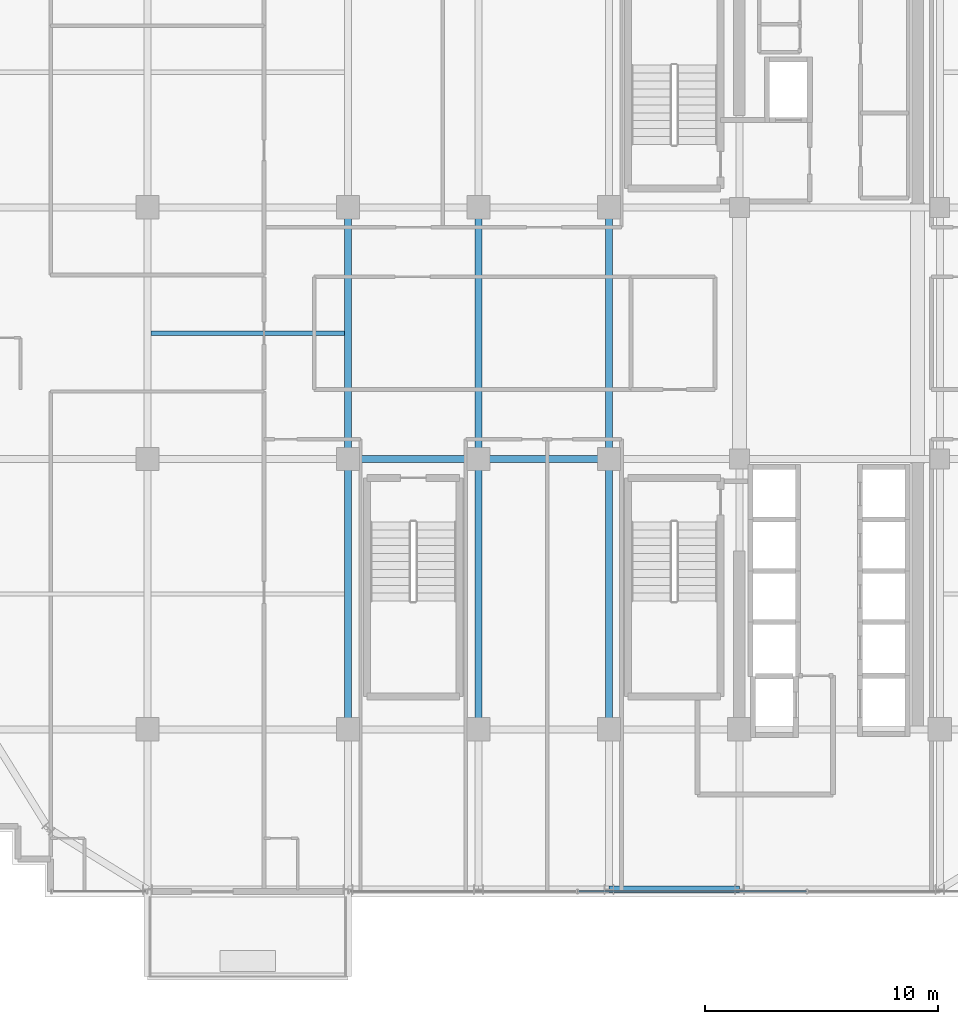
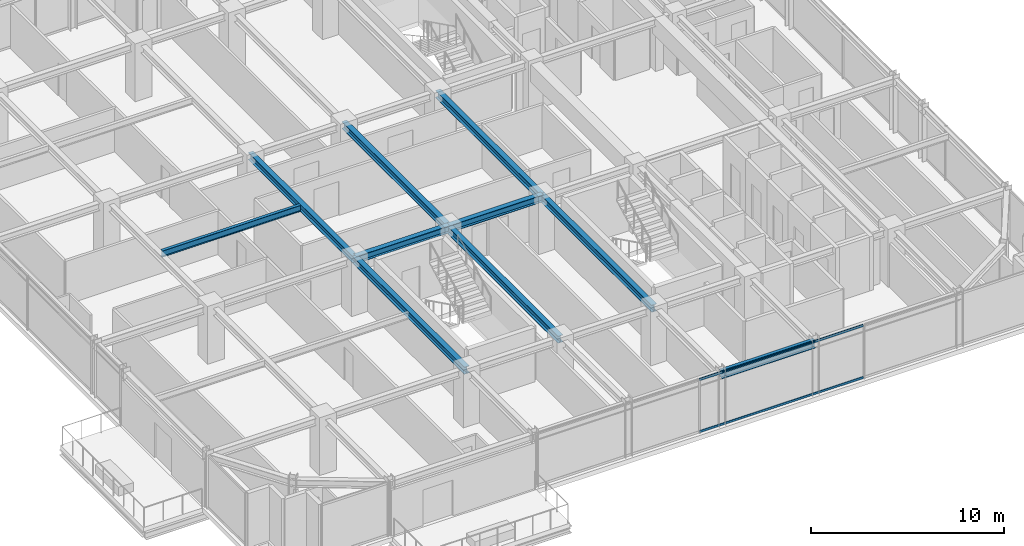
# One storey, part 11 of 35: 10 beams, 2 members, 1 element without a shape of its own.
"""IFC4 building model written with IfcOpenShell, lengths in metres."""

from ifc_helpers import new_model, si_unit, direction, frame, origin, origin_2d, place, context, subcontext, project, spatial, hollow_rectangle, i_section, extrude, source, transform, mapped, material, material_profile, profile_set, type_object, element, aggregate, save


model = new_model("IFC4")

# Units and contexts
model_context = context("Model", 3, precision=1e-05, world=origin(), true_north=direction((0.0, 1.0)))
body_context = subcontext(model_context, "Body", "Model", "MODEL_VIEW")
ifc_project = project(units=[si_unit("LENGTHUNIT", "METRE"), si_unit("AREAUNIT", "SQUARE_METRE"), si_unit("VOLUMEUNIT", "CUBIC_METRE"), si_unit("PLANEANGLEUNIT", "RADIAN"), si_unit("MASSUNIT", "GRAM", prefix="KILO")], contexts=[model_context])

# Site, building, storey
site_placement = place(None, origin())
site = spatial("IfcSite", under=ifc_project, at=site_placement, CompositionType="ELEMENT")
building_placement = place(site_placement, origin())
building = spatial("IfcBuilding", under=site, at=building_placement, Name="Nahalor Promenade Grand Hotel", CompositionType="ELEMENT")
storey_placement = place(building_placement, frame((0.0, 0.0, 245.60009765625)))
storey = spatial("IfcBuildingStorey", under=building, at=storey_placement, Name="L63", CompositionType="ELEMENT", Elevation=245.60009765625)

# Beams
ifc_material_1 = material(Name="Steel S355JR", Category="steel")
ifc_material_profile_1 = material_profile(ifc_material_1, i_section(OverallWidth=0.3, OverallDepth=0.45, WebThickness=0.014, FlangeThickness=0.026, at=origin_2d()), Name="HEB 450")
ifc_profile_set_1 = profile_set([ifc_material_profile_1], Name="Steel S355JR")
beam_type_1 = type_object("IfcBeamType", Name="Beam-Spandrel-HEB450", PredefinedType="SPANDREL", material=ifc_profile_set_1)
shared_shape_1 = source(origin(), body_context, "Body", "SweptSolid", [
    extrude(i_section(OverallWidth=0.3, OverallDepth=0.45, WebThickness=0.014, FlangeThickness=0.026, at=origin_2d()), origin(), (0.0, 0.0, 1.0), 5.599853515625),
])
beam_1_placement = place(storey_placement, frame((2.800048828125, -23.8798828125, 3.184814453125), z_axis=(1.0, 0.0, 0.0), x_axis=(0.0, 1.0, 0.0)))
element("IfcBeam", 1, at=beam_1_placement, inside=storey, type_object=beam_type_1, Name="BM-L63-SP-S-3", PredefinedType="SPANDREL", context=body_context, shape_type="MappedRepresentation", body=[
    mapped(shared_shape_1, transform((0.0, 0.0, 0.0), scale=1.0)),
])
ifc_material_profile_2 = material_profile(ifc_material_1, i_section(OverallWidth=0.3, OverallDepth=0.45, WebThickness=0.014, FlangeThickness=0.026, at=origin_2d()), Name="HEB 450")
ifc_profile_set_2 = profile_set([ifc_material_profile_2], Name="Steel S355JR")
beam_type_2 = type_object("IfcBeamType", Name="Beam-Girder-HEB450", PredefinedType="BEAM", material=ifc_profile_set_2)
shared_shape_2 = source(origin(), body_context, "Body", "SweptSolid", [
    extrude(i_section(OverallWidth=0.3, OverallDepth=0.45, WebThickness=0.014, FlangeThickness=0.026, at=origin_2d()), origin(), (0.0, 0.0, 1.0), 5.599853515625),
])
beam_2_placement = place(storey_placement, frame((-8.39990234375, -5.39990234375, 3.184814453125), z_axis=(1.0, 0.0, 0.0), x_axis=(0.0, 1.0, 0.0)))
element("IfcBeam", 2, at=beam_2_placement, inside=storey, type_object=beam_type_2, Name="BM-L63-GX-1-2", PredefinedType="BEAM", context=body_context, shape_type="MappedRepresentation", body=[
    mapped(shared_shape_2, transform((0.0, 0.0, 0.0), scale=1.0)),
])
shared_shape_3 = source(origin(), body_context, "Body", "SweptSolid", [
    extrude(i_section(OverallWidth=0.3, OverallDepth=0.45, WebThickness=0.014, FlangeThickness=0.026, at=origin_2d()), origin(), (0.0, 0.0, 1.0), 5.60009765625),
])
beam_3_placement = place(storey_placement, frame((-2.800048828125, -5.39990234375, 3.184814453125), z_axis=(1.0, 0.0, 0.0), x_axis=(0.0, 1.0, 0.0)))
element("IfcBeam", 3, at=beam_3_placement, inside=storey, type_object=beam_type_2, Name="BM-L63-GX-1-3", PredefinedType="BEAM", context=body_context, shape_type="MappedRepresentation", body=[
    mapped(shared_shape_3, transform((0.0, 0.0, 0.0), scale=1.0)),
])
shared_shape_4 = source(origin(), body_context, "Body", "SweptSolid", [
    extrude(i_section(OverallWidth=0.3, OverallDepth=0.45, WebThickness=0.014, FlangeThickness=0.026, at=origin_2d()), origin(), (0.0, 0.0, 1.0), 11.60009765625),
])
for number, where, z_axis, x_axis, name in (
    (4, (-8.39990234375, -17.0, 3.184814453125), (0.0, 1.0, 0.0), (-1.0, 0.0, 0.0), "BM-L63-GY-1-1"),
    (5, (-2.800048828125, -17.0, 3.184814453125), (0.0, 1.0, 0.0), (-1.0, 0.0, 0.0), "BM-L63-GY-2-1"),
    (6, (2.800048828125, -17.0, 3.184814453125), (0.0, 1.0, 0.0), (-1.0, 0.0, 0.0), "BM-L63-GY-3-1"),
):
    element("IfcBeam", number, at=place(storey_placement, frame(where, z_axis=z_axis, x_axis=x_axis)), inside=storey, type_object=beam_type_2, Name=name, PredefinedType="BEAM", context=body_context, shape_type="MappedRepresentation", body=[
        mapped(shared_shape_4, transform((0.0, 0.0, 0.0), scale=1.0)),
    ])
shared_shape_5 = source(origin(), body_context, "Body", "SweptSolid", [
    extrude(i_section(OverallWidth=0.3, OverallDepth=0.45, WebThickness=0.014, FlangeThickness=0.026, at=origin_2d()), origin(), (0.0, 0.0, 1.0), 10.7998046875),
])
for number, where, z_axis, x_axis, name in (
    (7, (-8.39990234375, -5.39990234375, 3.184814453125), (0.0, 1.0, 0.0), (-1.0, 0.0, 0.0), "BM-L63-GY-1-2"),
    (8, (-2.800048828125, -5.39990234375, 3.184814453125), (0.0, 1.0, 0.0), (-1.0, 0.0, 0.0), "BM-L63-GY-2-2"),
    (9, (2.800048828125, -5.39990234375, 3.184814453125), (0.0, 1.0, 0.0), (-1.0, 0.0, 0.0), "BM-L63-GY-3-2"),
):
    element("IfcBeam", number, at=place(storey_placement, frame(where, z_axis=z_axis, x_axis=x_axis)), inside=storey, type_object=beam_type_2, Name=name, PredefinedType="BEAM", context=body_context, shape_type="MappedRepresentation", body=[
        mapped(shared_shape_5, transform((0.0, 0.0, 0.0), scale=1.0)),
    ])
ifc_material_profile_3 = material_profile(ifc_material_1, i_section(OverallWidth=0.18, OverallDepth=0.4, WebThickness=0.0086, FlangeThickness=0.0135, at=origin_2d()), Name="IPE 400")
ifc_profile_set_3 = profile_set([ifc_material_profile_3], Name="Steel S355JR")
beam_type_3 = type_object("IfcBeamType", Name="Beam-Joist-IPE400", PredefinedType="JOIST", material=ifc_profile_set_3)
shared_shape_6 = source(origin(), body_context, "Body", "SweptSolid", [
    extrude(i_section(OverallWidth=0.18, OverallDepth=0.4, WebThickness=0.0086, FlangeThickness=0.0135, at=origin_2d()), origin(), (0.0, 0.0, 1.0), 8.300048828125),
])
beam_4_placement = place(storey_placement, frame((-16.85009765625, 0.0, 3.2099609375), z_axis=(1.0, 0.0, 0.0), x_axis=(0.0, 1.0, 0.0)))
element("IfcBeam", 10, at=beam_4_placement, inside=storey, type_object=beam_type_3, Name="BM-L63-JSC-0", PredefinedType="JOIST", context=body_context, shape_type="MappedRepresentation", body=[
    mapped(shared_shape_6, transform((0.0, 0.0, 0.0), scale=1.0)),
])

# Curtain wall, members
ifc_material_2 = material(Name="Anodised Bronze Aluminium EN AW-6063 T6", Category="aluminium")
curtain_wall_type = type_object("IfcCurtainWallType", Name="CW2 Typical Hotel Flush Bronze Unitised Curtain Wall", PredefinedType="USERDEFINED", material=ifc_material_2)
curtain_wall_placement = place(storey_placement, origin())
curtain_wall = element("IfcCurtainWall", 11, at=curtain_wall_placement, inside=storey, type_object=curtain_wall_type, Name="L63 Curtain Wall CW-L63-S-3", ObjectType="UNITISED_CURTAIN_WALL", PredefinedType="USERDEFINED")
ifc_material_profile_4 = material_profile(ifc_material_2, hollow_rectangle(XDim=0.065, YDim=0.13, WallThickness=0.004, at=origin_2d()), Name="CWT 65x130x4")
ifc_profile_set_4 = profile_set([ifc_material_profile_4], Name="Anodised Bronze Aluminium EN AW-6063 T6")
member_type = type_object("IfcMemberType", Name="CWT2 Typical Bronze Transom 65x130", PredefinedType="USERDEFINED", material=ifc_profile_set_4)
shared_shape_7 = source(origin(), body_context, "Body", "SweptSolid", [
    extrude(hollow_rectangle(XDim=0.065, YDim=0.13, WallThickness=0.004, at=origin_2d()), origin(), (0.0, 0.0, 1.0), 9.788330078125),
])
member_1_placement = place(storey_placement, frame((1.48583984375, -23.9599609375, 0.06494140625), z_axis=(1.0, 0.0, 0.0), x_axis=(0.0, 1.0, 0.0)))
member_1 = element("IfcMember", 12, at=member_1_placement, type_object=member_type, Name="CW-L63-S-3 Transom 1-0", ObjectType="TRANSOM", PredefinedType="USERDEFINED", context=body_context, shape_type="MappedRepresentation", body=[
    mapped(shared_shape_7, transform((0.0, 0.0, 0.0), scale=1.0)),
])
member_2_placement = place(storey_placement, frame((1.48583984375, -23.9599609375, 3.344970703125), z_axis=(1.0, 0.0, 0.0), x_axis=(0.0, 1.0, 0.0)))
member_2 = element("IfcMember", 13, at=member_2_placement, type_object=member_type, Name="CW-L63-S-3 Transom 1-1", ObjectType="TRANSOM", PredefinedType="USERDEFINED", context=body_context, shape_type="MappedRepresentation", body=[
    mapped(shared_shape_7, transform((0.0, 0.0, 0.0), scale=1.0)),
])
aggregate(curtain_wall, [member_1, member_2])

save(model, "model.ifc")
